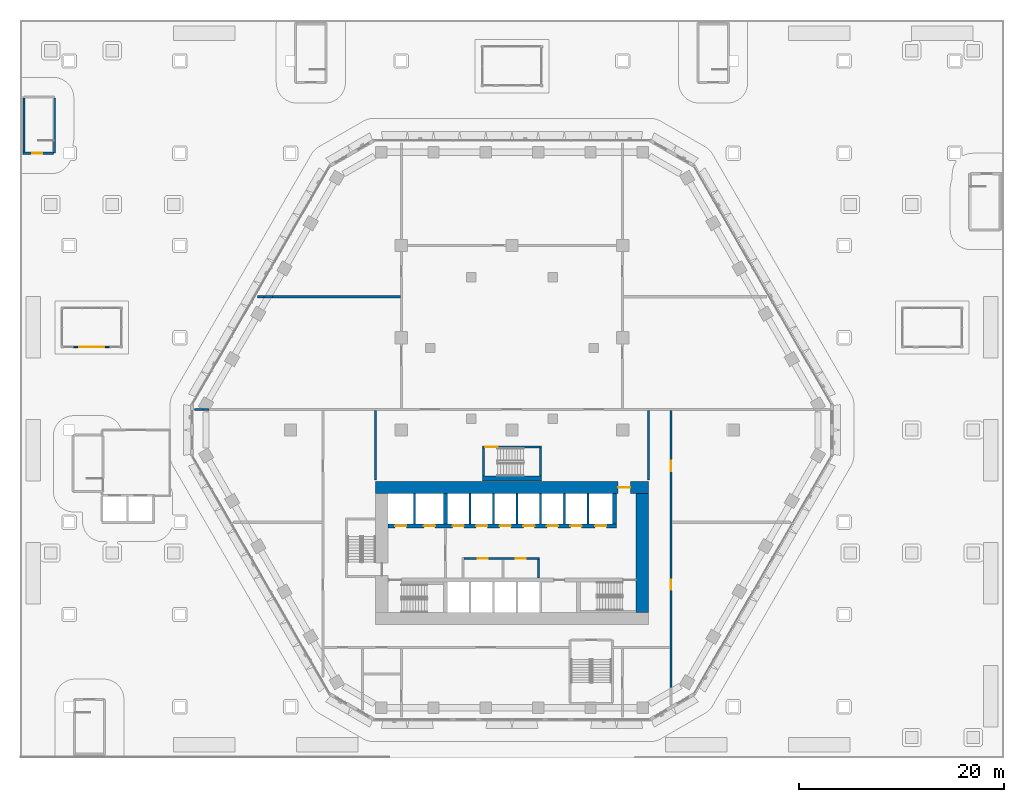
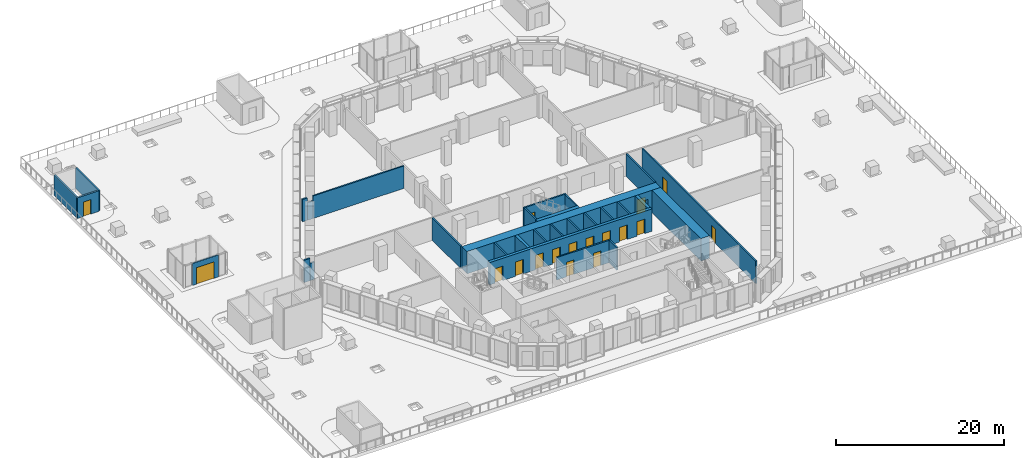
# One storey, part 23 of 38: 30 walls, 17 doors, 17 openings.
"""IFC4 building model written with IfcOpenShell, lengths in metres."""

from ifc_helpers import new_model, si_unit, direction, frame, frame_2d, origin, place, context, subcontext, project, spatial, rectangle, extrude, material, layer, layer_set, type_object, element, fill, save


model = new_model("IFC4")

# Units and contexts
model_context = context("Model", 3, precision=1e-05, world=origin(), true_north=direction((0.0, 1.0)))
body_context = subcontext(model_context, "Body", "Model", "MODEL_VIEW")
ifc_project = project(units=[si_unit("LENGTHUNIT", "METRE"), si_unit("AREAUNIT", "SQUARE_METRE"), si_unit("VOLUMEUNIT", "CUBIC_METRE"), si_unit("PLANEANGLEUNIT", "RADIAN"), si_unit("MASSUNIT", "GRAM", prefix="KILO")], contexts=[model_context])

# Site, building, storey
site_placement = place(None, origin())
site = spatial("IfcSite", under=ifc_project, at=site_placement, CompositionType="ELEMENT")
building_placement = place(site_placement, origin())
building = spatial("IfcBuilding", under=site, at=building_placement, Name="Beryl Residences", CompositionType="ELEMENT")
storey_placement = place(building_placement, frame((0.0, 0.0, 9.0)))
storey = spatial("IfcBuildingStorey", under=building, at=storey_placement, Name="L02", CompositionType="ELEMENT", Elevation=9.0)

# Wall, opening, door
ifc_material_1 = material(Name="Aluminium framed insulated wall", Category="aluminium")
ifc_layer_1 = layer(ifc_material_1, 0.14990234375)
ifc_layer_set_1 = layer_set([ifc_layer_1], Name="GW1 glazed door wall 150 mm")
wall_type_1 = type_object("IfcWallType", Name="GW1 glazed door wall 150 mm", PredefinedType="SOLIDWALL", material=ifc_layer_set_1)
wall_1_placement = place(storey_placement, frame((-42.800048828125, 8.10009765625, 0.0), z_axis=(0.0, 0.0, 1.0), x_axis=(1.0, 0.0, 0.0)))
wall_1 = element("IfcWall", 1, at=wall_1_placement, inside=storey, type_object=wall_type_1, Name="GW1 door wall L02 S", PredefinedType="SOLIDWALL", context=body_context, shape_type="SweptSolid", body=[
    extrude(rectangle(XDim=3.60009765625, YDim=0.14990234375, at=frame_2d((1.800048828125, 0.0))), origin(), (0.0, 0.0, 1.0), 3.199951171875),
])
opening_1_placement = place(wall_1_placement, frame((0.60009765625, 0.0, 0.0)))
opening_1 = element("IfcOpeningElement", 2, at=opening_1_placement, cuts=wall_1, Name="Opening SD1", PredefinedType="OPENING", context=body_context, shape_type="SweptSolid", body=[
    extrude(rectangle(XDim=2.39990234375, YDim=2.39990234375, at=frame_2d((1.199951171875, 1.199951171875))), frame((0.0, 0.0849609375, 0.0), z_axis=(0.0, -1.0, 0.0), x_axis=(1.0, 0.0, 0.0)), (0.0, 0.0, 1.0), 0.169921875),
])
ifc_material_2 = material(Name="Aluminium and clear glass", Category="aluminium")
door_type_1 = type_object("IfcDoorType", Name="SD1 sliding glass door 2400 x 2400 mm", OperationType="SLIDING_TO_LEFT", PredefinedType="DOOR", material=ifc_material_2)
door_1_placement = place(opening_1_placement, origin())
door_1 = element("IfcDoor", 3, at=door_1_placement, inside=storey, type_object=door_type_1, Name="SD1 garden door L02 S", OperationType="SLIDING_TO_LEFT", OverallHeight=2.39990234375, OverallWidth=2.39990234375, PredefinedType="DOOR", context=body_context, shape_type="SweptSolid", body=[
    extrude(rectangle(XDim=2.39990234375, YDim=2.39990234375, at=frame_2d((1.199951171875, 1.199951171875))), frame((0.0, 0.02490234375, 0.0), z_axis=(0.0, -1.0, 0.0), x_axis=(1.0, 0.0, 0.0)), (0.0, 0.0, 1.0), 0.050048828125),
])
fill(opening_1, door_1)

# Wall, openings, doors
ifc_material_3 = material(Name="Concrete masonry", Category="masonry")
ifc_layer_2 = layer(ifc_material_3, 0.199951171875)
ifc_layer_set_2 = layer_set([ifc_layer_2], Name="PT13 lobby wall 200 mm")
wall_type_2 = type_object("IfcWallType", Name="PT13 lobby wall 200 mm", PredefinedType="PARTITIONING", material=ifc_layer_set_2)
wall_2_placement = place(storey_placement, frame((-4.699951171875, -12.550048828125, 0.0), z_axis=(0.0, 0.0, 1.0), x_axis=(1.0, 0.0, 0.0)))
wall_2 = element("IfcWall", 4, at=wall_2_placement, inside=storey, type_object=wall_type_2, Name="Lobby wall 08", PredefinedType="PARTITIONING", context=body_context, shape_type="SweptSolid", body=[
    extrude(rectangle(XDim=7.39990234375, YDim=0.199951171875, at=frame_2d((3.699951171875, 0.0))), origin(), (0.0, 0.0, 1.0), 3.25),
])
opening_2_placement = place(wall_2_placement, frame((2.35009765625, 0.0, 0.0), z_axis=(0.0, 0.0, 1.0), x_axis=(-1.0, 0.0, 0.0)))
opening_2 = element("IfcOpeningElement", 5, at=opening_2_placement, cuts=wall_2, Name="Opening CD-D-A1", PredefinedType="OPENING", context=body_context, shape_type="SweptSolid", body=[
    extrude(rectangle(XDim=1.0, YDim=2.10009765625, at=frame_2d((0.5, 1.050048828125))), frame((0.0, 0.10986328125, 0.0), z_axis=(0.0, -1.0, 0.0), x_axis=(1.0, 0.0, 0.0)), (0.0, 0.0, 1.0), 0.219970703125),
])
opening_3_placement = place(wall_2_placement, frame((6.050048828125, 0.0, 0.0), z_axis=(0.0, 0.0, 1.0), x_axis=(-1.0, 0.0, 0.0)))
opening_3 = element("IfcOpeningElement", 6, at=opening_3_placement, cuts=wall_2, Name="Opening CD-D-A2", PredefinedType="OPENING", context=body_context, shape_type="SweptSolid", body=[
    extrude(rectangle(XDim=1.0, YDim=2.10009765625, at=frame_2d((0.5, 1.050048828125))), frame((0.0, 0.10986328125, 0.0), z_axis=(0.0, -1.0, 0.0), x_axis=(1.0, 0.0, 0.0)), (0.0, 0.0, 1.0), 0.219970703125),
])
ifc_material_4 = material(Name="Steel door leaf in steel frame", Category="steel")
door_type_2 = type_object("IfcDoorType", Name="D18 service room door 1000 x 2100 mm", OperationType="SINGLE_SWING_LEFT", PredefinedType="DOOR", material=ifc_material_4)
door_2_placement = place(opening_2_placement, origin())
door_2 = element("IfcDoor", 7, at=door_2_placement, inside=storey, type_object=door_type_2, Name="Door CD-D-A1 L02 001", OperationType="SINGLE_SWING_RIGHT", OverallHeight=2.10009765625, OverallWidth=1.0, PredefinedType="DOOR", context=body_context, shape_type="SweptSolid", body=[
    extrude(rectangle(XDim=1.0, YDim=2.10009765625, at=frame_2d((0.5, 1.050048828125))), frame((0.0, 0.02490234375, 0.0), z_axis=(0.0, -1.0, 0.0), x_axis=(1.0, 0.0, 0.0)), (0.0, 0.0, 1.0), 0.050048828125),
])
fill(opening_2, door_2)
door_3_placement = place(opening_3_placement, origin())
door_3 = element("IfcDoor", 8, at=door_3_placement, inside=storey, type_object=door_type_2, Name="Door CD-D-A2 L02 001", OperationType="SINGLE_SWING_LEFT", OverallHeight=2.10009765625, OverallWidth=1.0, PredefinedType="DOOR", context=body_context, shape_type="SweptSolid", body=[
    extrude(rectangle(XDim=1.0, YDim=2.10009765625, at=frame_2d((0.5, 1.050048828125))), frame((0.0, 0.02490234375, 0.0), z_axis=(0.0, -1.0, 0.0), x_axis=(1.0, 0.0, 0.0)), (0.0, 0.0, 1.0), 0.050048828125),
])
fill(opening_3, door_3)

# Walls
wall_3_placement = place(storey_placement, frame((2.60009765625, -14.449951171875, 0.0), z_axis=(0.0, 0.0, 1.0), x_axis=(0.0, 1.0, 0.0)))
element("IfcWall", 9, at=wall_3_placement, inside=storey, type_object=wall_type_2, Name="Lobby wall 16", PredefinedType="PARTITIONING", context=body_context, shape_type="SweptSolid", body=[
    extrude(rectangle(XDim=1.800048828125, YDim=0.199951171875, at=frame_2d((0.89990234375, 0.0))), origin(), (0.0, 0.0, 1.0), 3.25),
])
ifc_material_5 = material(Name="Double stud gypsum board wall")
ifc_layer_3 = layer(ifc_material_5, 0.199951171875)
ifc_layer_set_3 = layer_set([ifc_layer_3], Name="PT4 corridor wall 200 mm double stud")
wall_type_3 = type_object("IfcWallType", Name="PT4 corridor wall 200 mm double stud", PredefinedType="PARTITIONING", material=ifc_layer_set_3)
wall_4_placement = place(storey_placement, frame((-30.969970703125, 2.0, 0.0), z_axis=(0.0, 0.0, 1.0), x_axis=(1.0, 0.0, 0.0)))
element("IfcWall", 10, at=wall_4_placement, inside=storey, type_object=wall_type_3, Name="Wall PT4 L02 008", PredefinedType="PARTITIONING", context=body_context, shape_type="SweptSolid", body=[
    extrude(rectangle(XDim=0.821044921875, YDim=0.199951171875, at=frame_2d((0.41064453125, 0.0))), origin(), (0.0, 0.0, 1.0), 3.25),
])
wall_5_placement = place(storey_placement, frame((-30.14892578125, 2.0, 0.0), z_axis=(0.0, 0.0, 1.0), x_axis=(1.0, 0.0, 0.0)))
element("IfcWall", 11, at=wall_5_placement, inside=storey, type_object=wall_type_3, Name="Wall PT4 L02 009", PredefinedType="PARTITIONING", context=body_context, shape_type="SweptSolid", body=[
    extrude(rectangle(XDim=0.599853515625, YDim=0.199951171875, at=frame_2d((0.2998046875, 0.0))), origin(), (0.0, 0.0, 1.0), 2.52001953125),
])
wall_6_placement = place(storey_placement, frame((-24.84912109375, 13.0, 0.0), z_axis=(0.0, 0.0, 1.0), x_axis=(1.0, 0.0, 0.0)))
element("IfcWall", 12, at=wall_6_placement, inside=storey, type_object=wall_type_3, Name="Wall PT4 L02 013", PredefinedType="PARTITIONING", context=body_context, shape_type="SweptSolid", body=[
    extrude(rectangle(XDim=0.658203125, YDim=0.199951171875, at=frame_2d((0.3291015625, 0.0))), origin(), (0.0, 0.0, 1.0), 3.25),
])
wall_7_placement = place(storey_placement, frame((-24.19091796875, 13.0, 0.0), z_axis=(0.0, 0.0, 1.0), x_axis=(1.0, 0.0, 0.0)))
element("IfcWall", 13, at=wall_7_placement, inside=storey, type_object=wall_type_3, Name="Wall PT4 L02 014", PredefinedType="PARTITIONING", context=body_context, shape_type="SweptSolid", body=[
    extrude(rectangle(XDim=0.807861328125, YDim=0.199951171875, at=frame_2d((0.40380859375, 0.0))), origin(), (0.0, 0.0, 1.0), 2.52001953125),
])
wall_8_placement = place(storey_placement, frame((-23.383056640625, 13.0, 0.0), z_axis=(0.0, 0.0, 1.0), x_axis=(1.0, 0.0, 0.0)))
element("IfcWall", 14, at=wall_8_placement, inside=storey, type_object=wall_type_3, Name="Wall PT4 L02 015", PredefinedType="PARTITIONING", context=body_context, shape_type="SweptSolid", body=[
    extrude(rectangle(XDim=12.483154296875, YDim=0.199951171875, at=frame_2d((6.24169921875, 0.0))), origin(), (0.0, 0.0, 1.0), 3.25),
])
for number, where, z_axis, x_axis, name in (
    (15, (-13.300048828125, -4.8798828125, 0.0), (0.0, 0.0, 1.0), (0.0, 1.0, 0.0), "Wall PT4 L02 023"),
    (16, (13.300048828125, -4.8798828125, 0.0), (0.0, 0.0, 1.0), (0.0, 1.0, 0.0), "Wall PT4 L02 030"),
):
    element("IfcWall", number, at=place(storey_placement, frame(where, z_axis=z_axis, x_axis=x_axis)), inside=storey, type_object=wall_type_3, Name=name, PredefinedType="PARTITIONING", context=body_context, shape_type="SweptSolid", body=[
        extrude(rectangle(XDim=6.77978515625, YDim=0.199951171875, at=frame_2d((3.389892578125, 0.0))), origin(), (0.0, 0.0, 1.0), 3.25),
    ])

# Wall, opening, door
ifc_material_6 = material(Name="Concrete C40/50", Category="concrete")
ifc_layer_4 = layer(ifc_material_6, 0.199951171875)
ifc_layer_set_4 = layer_set([ifc_layer_4], Name="PT5 stair enclosure wall 200 mm reinforced concrete C40/50")
wall_type_4 = type_object("IfcWallType", Name="PT5 stair enclosure wall 200 mm reinforced concrete C40/50", PredefinedType="SOLIDWALL", material=ifc_layer_set_4)
wall_9_placement = place(storey_placement, frame((-2.89990234375, -1.64990234375, 0.0), z_axis=(0.0, 0.0, 1.0), x_axis=(1.0, 0.0, 0.0)))
wall_9 = element("IfcWall", 17, at=wall_9_placement, inside=storey, type_object=wall_type_4, Name="Wall PT5 L02 001", PredefinedType="SOLIDWALL", context=body_context, shape_type="SweptSolid", body=[
    extrude(rectangle(XDim=5.7998046875, YDim=0.199951171875, at=frame_2d((2.89990234375, 0.0))), origin(), (0.0, 0.0, 1.0), 3.25),
])
opening_4_placement = place(wall_9_placement, frame((0.300048828125, 0.0, 0.0)))
opening_4 = element("IfcOpeningElement", 18, at=opening_4_placement, cuts=wall_9, Name="Opening DS04", PredefinedType="OPENING", context=body_context, shape_type="SweptSolid", body=[
    extrude(rectangle(XDim=1.199951171875, YDim=2.10009765625, at=frame_2d((0.60009765625, 1.050048828125))), frame((0.0, 0.10986328125, 0.0), z_axis=(0.0, -1.0, 0.0), x_axis=(1.0, 0.0, 0.0)), (0.0, 0.0, 1.0), 0.219970703125),
])
ifc_material_7 = material(Name="Steel door leaf in steel frame", Category="steel")
door_type_3 = type_object("IfcDoorType", Name="D4 stair door 1200 x 2100 mm", OperationType="SINGLE_SWING_LEFT", PredefinedType="DOOR", material=ifc_material_7)
door_4_placement = place(opening_4_placement, origin())
door_4 = element("IfcDoor", 19, at=door_4_placement, inside=storey, type_object=door_type_3, Name="Door DS04 L02 001", OperationType="SINGLE_SWING_LEFT", OverallHeight=2.10009765625, OverallWidth=1.199951171875, PredefinedType="DOOR", context=body_context, shape_type="SweptSolid", body=[
    extrude(rectangle(XDim=1.199951171875, YDim=2.10009765625, at=frame_2d((0.60009765625, 1.050048828125))), frame((0.0, 0.02490234375, 0.0), z_axis=(0.0, -1.0, 0.0), x_axis=(1.0, 0.0, 0.0)), (0.0, 0.0, 1.0), 0.050048828125),
])
fill(opening_4, door_4)

# Walls
for number, where, z_axis, x_axis, name in (
    (20, (-2.800048828125, -4.5, 0.0), (0.0, 0.0, 1.0), (0.0, 1.0, 0.0), "Wall PT5 L02 002"),
    (21, (2.800048828125, -4.5, 0.0), (0.0, 0.0, 1.0), (0.0, 1.0, 0.0), "Wall PT5 L02 003"),
):
    element("IfcWall", number, at=place(storey_placement, frame(where, z_axis=z_axis, x_axis=x_axis)), inside=storey, type_object=wall_type_4, Name=name, PredefinedType="SOLIDWALL", context=body_context, shape_type="SweptSolid", body=[
        extrude(rectangle(XDim=2.75, YDim=0.199951171875, at=frame_2d((1.375, 0.0))), origin(), (0.0, 0.0, 1.0), 3.25),
    ])

# Wall, opening, door
wall_10_placement = place(storey_placement, frame((-47.699951171875, 27.0, 0.0), z_axis=(0.0, 0.0, 1.0), x_axis=(1.0, 0.0, 0.0)))
wall_10 = element("IfcWall", 22, at=wall_10_placement, inside=storey, type_object=wall_type_4, Name="Wall PT5 L02 012", PredefinedType="SOLIDWALL", context=body_context, shape_type="SweptSolid", body=[
    extrude(rectangle(XDim=2.949951171875, YDim=0.199951171875, at=frame_2d((1.47509765625, 0.0))), origin(), (0.0, 0.0, 1.0), 3.0),
])
opening_5_placement = place(wall_10_placement, frame((1.875, 0.0, 0.0), z_axis=(0.0, 0.0, 1.0), x_axis=(-1.0, 0.0, 0.0)))
opening_5 = element("IfcOpeningElement", 23, at=opening_5_placement, cuts=wall_10, Name="Opening L02-23", PredefinedType="OPENING", context=body_context, shape_type="SweptSolid", body=[
    extrude(rectangle(XDim=1.0, YDim=2.10009765625, at=frame_2d((0.5, 1.050048828125))), frame((0.0, 0.10986328125, 0.0), z_axis=(0.0, -1.0, 0.0), x_axis=(1.0, 0.0, 0.0)), (0.0, 0.0, 1.0), 0.219970703125),
])
ifc_material_8 = material(Name="Steel door leaf in steel frame", Category="steel")
door_type_4 = type_object("IfcDoorType", Name="D15 stair door 1000 x 2100 mm", OperationType="SINGLE_SWING_LEFT", PredefinedType="DOOR", material=ifc_material_8)
door_5_placement = place(opening_5_placement, origin())
door_5 = element("IfcDoor", 24, at=door_5_placement, inside=storey, type_object=door_type_4, Name="Door L02-23 L02 001", OperationType="SINGLE_SWING_RIGHT", OverallHeight=2.10009765625, OverallWidth=1.0, PredefinedType="DOOR", context=body_context, shape_type="SweptSolid", body=[
    extrude(rectangle(XDim=1.0, YDim=2.10009765625, at=frame_2d((0.5, 1.050048828125))), frame((0.0, 0.02490234375, 0.0), z_axis=(0.0, -1.0, 0.0), x_axis=(1.0, 0.0, 0.0)), (0.0, 0.0, 1.0), 0.050048828125),
])
fill(opening_5, door_5)

# Walls
wall_11_placement = place(storey_placement, frame((-47.60009765625, 27.10009765625, 0.0), z_axis=(0.0, 0.0, 1.0), x_axis=(0.0, 1.0, 0.0)))
element("IfcWall", 25, at=wall_11_placement, inside=storey, type_object=wall_type_4, Name="Wall PT5 L02 018", PredefinedType="SOLIDWALL", context=body_context, shape_type="SweptSolid", body=[
    extrude(rectangle(XDim=5.2998046875, YDim=0.199951171875, at=frame_2d((2.64990234375, 0.0))), origin(), (0.0, 0.0, 1.0), 3.0),
])
wall_12_placement = place(storey_placement, frame((-44.64990234375, 27.0, 0.0), z_axis=(0.0, 0.0, 1.0), x_axis=(0.0, 1.0, 0.0)))
element("IfcWall", 26, at=wall_12_placement, inside=storey, type_object=wall_type_4, Name="Wall PT5 L02 019", PredefinedType="SOLIDWALL", context=body_context, shape_type="SweptSolid", body=[
    extrude(rectangle(XDim=5.39990234375, YDim=0.199951171875, at=frame_2d((2.699951171875, 0.0))), origin(), (0.0, 0.0, 1.0), 3.0),
])
ifc_material_9 = material(Name="Concrete C40/50", Category="concrete")
ifc_layer_5 = layer(ifc_material_9, 0.5)
ifc_layer_set_5 = layer_set([ifc_layer_5], Name="PT5-500 stair enclosure wall 500 mm")
wall_type_5 = type_object("IfcWallType", Name="PT5-500 stair enclosure wall 500 mm", PredefinedType="SOLIDWALL", material=ifc_layer_set_5)
wall_13_placement = place(storey_placement, frame((-2.89990234375, -4.75, 0.0), z_axis=(0.0, 0.0, 1.0), x_axis=(1.0, 0.0, 0.0)))
element("IfcWall", 27, at=wall_13_placement, inside=storey, type_object=wall_type_5, Name="Wall PT5-500 L02 001", PredefinedType="SOLIDWALL", context=body_context, shape_type="SweptSolid", body=[
    extrude(rectangle(XDim=5.7998046875, YDim=0.5, at=frame_2d((2.89990234375, 0.0))), origin(), (0.0, 0.0, 1.0), 3.25),
])
ifc_material_10 = material(Name="Concrete C40/50", Category="concrete")
ifc_layer_6 = layer(ifc_material_10, 0.199951171875)
ifc_layer_set_6 = layer_set([ifc_layer_6], Name="PT6 lift shaft wall 200 mm reinforced concrete C40/50")
wall_type_6 = type_object("IfcWallType", Name="PT6 lift shaft wall 200 mm reinforced concrete C40/50", PredefinedType="SOLIDWALL", material=ifc_layer_set_6)
for number, where, z_axis, x_axis, name in (
    (28, (-9.5, -9.14990234375, 0.0), (0.0, 0.0, 1.0), (0.0, 1.0, 0.0), "Lift shaft wall 05"),
    (29, (-4.10009765625, -9.14990234375, 0.0), (0.0, 0.0, 1.0), (0.0, 1.0, 0.0), "Lift shaft wall 10"),
    (30, (-1.800048828125, -9.14990234375, 0.0), (0.0, 0.0, 1.0), (0.0, 1.0, 0.0), "Lift shaft wall 12"),
    (31, (0.5, -9.14990234375, 0.0), (0.0, 0.0, 1.0), (0.0, 1.0, 0.0), "Lift shaft wall 15"),
    (32, (2.800048828125, -9.14990234375, 0.0), (0.0, 0.0, 1.0), (0.0, 1.0, 0.0), "Lift shaft wall 18"),
    (33, (5.10009765625, -9.14990234375, 0.0), (0.0, 0.0, 1.0), (0.0, 1.0, 0.0), "Lift shaft wall 19"),
    (34, (7.39990234375, -9.14990234375, 0.0), (0.0, 0.0, 1.0), (0.0, 1.0, 0.0), "Lift shaft wall 21"),
):
    element("IfcWall", number, at=place(storey_placement, frame(where, z_axis=z_axis, x_axis=x_axis)), inside=storey, type_object=wall_type_6, Name=name, PredefinedType="SOLIDWALL", context=body_context, shape_type="SweptSolid", body=[
        extrude(rectangle(XDim=2.949951171875, YDim=0.199951171875, at=frame_2d((1.47509765625, 0.0))), origin(), (0.0, 0.0, 1.0), 3.25),
    ])

# Wall, openings, doors
ifc_material_11 = material(Name="Concrete masonry", Category="masonry")
ifc_layer_7 = layer(ifc_material_11, 0.199951171875)
ifc_layer_set_7 = layer_set([ifc_layer_7], Name="PT8-200 service room wall 200 mm")
wall_type_7 = type_object("IfcWallType", Name="PT8-200 service room wall 200 mm", PredefinedType="PARTITIONING", material=ifc_layer_set_7)
wall_14_placement = place(storey_placement, frame((15.5, -25.114013671875, 0.0), z_axis=(0.0, 0.0, 1.0), x_axis=(0.0, 1.0, 0.0)))
wall_14 = element("IfcWall", 35, at=wall_14_placement, inside=storey, type_object=wall_type_7, Name="Wall PT8-200 L02 014", PredefinedType="PARTITIONING", context=body_context, shape_type="SweptSolid", body=[
    extrude(rectangle(XDim=27.013916015625, YDim=0.199951171875, at=frame_2d((13.5068359375, 0.0))), origin(), (0.0, 0.0, 1.0), 3.25),
])
opening_6_placement = place(wall_14_placement, frame((10.51611328125, 0.0, 0.0), z_axis=(0.0, 0.0, 1.0), x_axis=(-1.0, 0.0, 0.0)))
opening_6 = element("IfcOpeningElement", 36, at=opening_6_placement, cuts=wall_14, Name="Opening L02-07", PredefinedType="OPENING", context=body_context, shape_type="SweptSolid", body=[
    extrude(rectangle(XDim=1.0, YDim=2.10009765625, at=frame_2d((0.5, 1.050048828125))), frame((0.0, 0.10986328125, 0.0), z_axis=(0.0, -1.0, 0.0), x_axis=(1.0, 0.0, 0.0)), (0.0, 0.0, 1.0), 0.219970703125),
])
opening_7_placement = place(wall_14_placement, frame((22.112060546875, 0.0, 0.0), z_axis=(0.0, 0.0, 1.0), x_axis=(-1.0, 0.0, 0.0)))
opening_7 = element("IfcOpeningElement", 37, at=opening_7_placement, cuts=wall_14, Name="Opening L02-08", PredefinedType="OPENING", context=body_context, shape_type="SweptSolid", body=[
    extrude(rectangle(XDim=1.0, YDim=2.10009765625, at=frame_2d((0.5, 1.050048828125))), frame((0.0, 0.10986328125, 0.0), z_axis=(0.0, -1.0, 0.0), x_axis=(1.0, 0.0, 0.0)), (0.0, 0.0, 1.0), 0.219970703125),
])
ifc_material_12 = material(Name="Timber door leaf", Category="wood")
door_type_5 = type_object("IfcDoorType", Name="D9 corridor door 1000 x 2100 mm", OperationType="SINGLE_SWING_LEFT", PredefinedType="DOOR", material=ifc_material_12)
door_6_placement = place(opening_6_placement, origin())
door_6 = element("IfcDoor", 38, at=door_6_placement, inside=storey, type_object=door_type_5, Name="Door L02-07 L02 001", OperationType="SINGLE_SWING_RIGHT", OverallHeight=2.10009765625, OverallWidth=1.0, PredefinedType="DOOR", context=body_context, shape_type="SweptSolid", body=[
    extrude(rectangle(XDim=1.0, YDim=2.10009765625, at=frame_2d((0.5, 1.050048828125))), frame((0.0, 0.02490234375, 0.0), z_axis=(0.0, -1.0, 0.0), x_axis=(1.0, 0.0, 0.0)), (0.0, 0.0, 1.0), 0.050048828125),
])
fill(opening_6, door_6)
door_7_placement = place(opening_7_placement, origin())
door_7 = element("IfcDoor", 39, at=door_7_placement, inside=storey, type_object=door_type_5, Name="Door L02-08 L02 001", OperationType="SINGLE_SWING_LEFT", OverallHeight=2.10009765625, OverallWidth=1.0, PredefinedType="DOOR", context=body_context, shape_type="SweptSolid", body=[
    extrude(rectangle(XDim=1.0, YDim=2.10009765625, at=frame_2d((0.5, 1.050048828125))), frame((0.0, 0.02490234375, 0.0), z_axis=(0.0, -1.0, 0.0), x_axis=(1.0, 0.0, 0.0)), (0.0, 0.0, 1.0), 0.050048828125),
])
fill(opening_7, door_7)

# Wall, opening, door
ifc_material_13 = material(Name="Concrete C80/95", Category="concrete")
ifc_layer_8 = layer(ifc_material_13, 1.199951171875)
ifc_layer_set_8 = layer_set([ifc_layer_8], Name="SW1 core outer wall 1200 mm C80/95")
wall_type_8 = type_object("IfcWallType", Name="SW1 core outer wall 1200 mm C80/95", PredefinedType="SHEAR", material=ifc_layer_set_8)
wall_15_placement = place(storey_placement, frame((-13.300048828125, -5.60009765625, 0.0), z_axis=(0.0, 0.0, 1.0), x_axis=(1.0, 0.0, 0.0)))
wall_15 = element("IfcWall", 40, at=wall_15_placement, inside=storey, type_object=wall_type_8, Name="Core wall N L02", PredefinedType="SHEAR", context=body_context, shape_type="SweptSolid", body=[
    extrude(rectangle(XDim=26.60009765625, YDim=1.199951171875, at=frame_2d((13.300048828125, 0.0))), origin(), (0.0, 0.0, 1.0), 3.25),
])
opening_8_placement = place(wall_15_placement, frame((23.64990234375, 0.0, 0.0)))
opening_8 = element("IfcOpeningElement", 41, at=opening_8_placement, cuts=wall_15, Name="Opening FD-NORTH", PredefinedType="OPENING", context=body_context, shape_type="SweptSolid", body=[
    extrude(rectangle(XDim=1.199951171875, YDim=2.10009765625, at=frame_2d((0.60009765625, 1.050048828125))), frame((0.0, 0.60986328125, 0.0), z_axis=(0.0, -1.0, 0.0), x_axis=(1.0, 0.0, 0.0)), (0.0, 0.0, 1.0), 1.219970703125),
])
ifc_material_14 = material(Name="Steel door leaf in steel frame", Category="steel")
door_type_6 = type_object("IfcDoorType", Name="D22 lobby door 1200 x 2100 mm", OperationType="DOUBLE_DOOR_SINGLE_SWING", PredefinedType="DOOR", material=ifc_material_14)
door_8_placement = place(opening_8_placement, origin())
door_8 = element("IfcDoor", 42, at=door_8_placement, inside=storey, type_object=door_type_6, Name="Door FD-NORTH L02 001", OperationType="DOUBLE_DOOR_SINGLE_SWING", OverallHeight=2.10009765625, OverallWidth=1.199951171875, PredefinedType="DOOR", context=body_context, shape_type="SweptSolid", body=[
    extrude(rectangle(XDim=1.199951171875, YDim=2.10009765625, at=frame_2d((0.60009765625, 1.050048828125))), frame((0.0, 0.02490234375, 0.0), z_axis=(0.0, -1.0, 0.0), x_axis=(1.0, 0.0, 0.0)), (0.0, 0.0, 1.0), 0.050048828125),
])
fill(opening_8, door_8)

# Wall
wall_16_placement = place(storey_placement, frame((12.699951171875, -17.800048828125, 0.0), z_axis=(0.0, 0.0, 1.0), x_axis=(0.0, 1.0, 0.0)))
element("IfcWall", 43, at=wall_16_placement, inside=storey, type_object=wall_type_8, Name="Core wall E L02", PredefinedType="SHEAR", context=body_context, shape_type="SweptSolid", body=[
    extrude(rectangle(XDim=11.60009765625, YDim=1.199951171875, at=frame_2d((5.800048828125, 0.0))), origin(), (0.0, 0.0, 1.0), 3.25),
])

# Wall, openings, doors
ifc_material_15 = material(Name="Concrete C80/95", Category="concrete")
ifc_layer_9 = layer(ifc_material_15, 0.39990234375)
ifc_layer_set_9 = layer_set([ifc_layer_9], Name="SW6 core internal wall 400 mm C80/95")
wall_type_9 = type_object("IfcWallType", Name="SW6 core internal wall 400 mm C80/95", PredefinedType="SHEAR", material=ifc_layer_set_9)
wall_17_placement = place(storey_placement, frame((-12.10009765625, -9.35009765625, 0.0), z_axis=(0.0, 0.0, 1.0), x_axis=(1.0, 0.0, 0.0)))
wall_17 = element("IfcWall", 44, at=wall_17_placement, inside=storey, type_object=wall_type_9, Name="Core wall SP2 L02", PredefinedType="SHEAR", context=body_context, shape_type="SweptSolid", body=[
    extrude(rectangle(XDim=22.300048828125, YDim=0.39990234375, at=frame_2d((11.14990234375, 0.0))), origin(), (0.0, 0.0, 1.0), 3.25),
])
opening_9_placement = place(wall_17_placement, frame((0.699951171875, 0.0, 0.0)))
opening_9 = element("IfcOpeningElement", 45, at=opening_9_placement, cuts=wall_17, Name="Opening LD-FF1", PredefinedType="OPENING", context=body_context, shape_type="SweptSolid", body=[
    extrude(rectangle(XDim=1.10009765625, YDim=2.10009765625, at=frame_2d((0.550048828125, 1.050048828125))), frame((0.0, 0.2099609375, 0.0), z_axis=(0.0, -1.0, 0.0), x_axis=(1.0, 0.0, 0.0)), (0.0, 0.0, 1.0), 0.419921875),
])
opening_10_placement = place(wall_17_placement, frame((3.5, 0.0, 0.0)))
opening_10 = element("IfcOpeningElement", 46, at=opening_10_placement, cuts=wall_17, Name="Opening LD-FF2", PredefinedType="OPENING", context=body_context, shape_type="SweptSolid", body=[
    extrude(rectangle(XDim=1.10009765625, YDim=2.10009765625, at=frame_2d((0.550048828125, 1.050048828125))), frame((0.0, 0.2099609375, 0.0), z_axis=(0.0, -1.0, 0.0), x_axis=(1.0, 0.0, 0.0)), (0.0, 0.0, 1.0), 0.419921875),
])
opening_11_placement = place(wall_17_placement, frame((6.300048828125, 0.0, 0.0)))
opening_11 = element("IfcOpeningElement", 47, at=opening_11_placement, cuts=wall_17, Name="Opening LD-LR1", PredefinedType="OPENING", context=body_context, shape_type="SweptSolid", body=[
    extrude(rectangle(XDim=1.10009765625, YDim=2.10009765625, at=frame_2d((0.550048828125, 1.050048828125))), frame((0.0, 0.2099609375, 0.0), z_axis=(0.0, -1.0, 0.0), x_axis=(1.0, 0.0, 0.0)), (0.0, 0.0, 1.0), 0.419921875),
])
opening_12_placement = place(wall_17_placement, frame((8.60009765625, 0.0, 0.0)))
opening_12 = element("IfcOpeningElement", 48, at=opening_12_placement, cuts=wall_17, Name="Opening LD-LR2", PredefinedType="OPENING", context=body_context, shape_type="SweptSolid", body=[
    extrude(rectangle(XDim=1.10009765625, YDim=2.10009765625, at=frame_2d((0.550048828125, 1.050048828125))), frame((0.0, 0.2099609375, 0.0), z_axis=(0.0, -1.0, 0.0), x_axis=(1.0, 0.0, 0.0)), (0.0, 0.0, 1.0), 0.419921875),
])
opening_13_placement = place(wall_17_placement, frame((10.89990234375, 0.0, 0.0)))
opening_13 = element("IfcOpeningElement", 49, at=opening_13_placement, cuts=wall_17, Name="Opening LD-LR3", PredefinedType="OPENING", context=body_context, shape_type="SweptSolid", body=[
    extrude(rectangle(XDim=1.10009765625, YDim=2.10009765625, at=frame_2d((0.550048828125, 1.050048828125))), frame((0.0, 0.2099609375, 0.0), z_axis=(0.0, -1.0, 0.0), x_axis=(1.0, 0.0, 0.0)), (0.0, 0.0, 1.0), 0.419921875),
])
opening_14_placement = place(wall_17_placement, frame((13.199951171875, 0.0, 0.0)))
opening_14 = element("IfcOpeningElement", 50, at=opening_14_placement, cuts=wall_17, Name="Opening LD-LR4", PredefinedType="OPENING", context=body_context, shape_type="SweptSolid", body=[
    extrude(rectangle(XDim=1.10009765625, YDim=2.10009765625, at=frame_2d((0.550048828125, 1.050048828125))), frame((0.0, 0.2099609375, 0.0), z_axis=(0.0, -1.0, 0.0), x_axis=(1.0, 0.0, 0.0)), (0.0, 0.0, 1.0), 0.419921875),
])
opening_15_placement = place(wall_17_placement, frame((15.5, 0.0, 0.0)))
opening_15 = element("IfcOpeningElement", 51, at=opening_15_placement, cuts=wall_17, Name="Opening LD-LR5", PredefinedType="OPENING", context=body_context, shape_type="SweptSolid", body=[
    extrude(rectangle(XDim=1.10009765625, YDim=2.10009765625, at=frame_2d((0.550048828125, 1.050048828125))), frame((0.0, 0.2099609375, 0.0), z_axis=(0.0, -1.0, 0.0), x_axis=(1.0, 0.0, 0.0)), (0.0, 0.0, 1.0), 0.419921875),
])
opening_16_placement = place(wall_17_placement, frame((17.800048828125, 0.0, 0.0)))
opening_16 = element("IfcOpeningElement", 52, at=opening_16_placement, cuts=wall_17, Name="Opening LD-LR6", PredefinedType="OPENING", context=body_context, shape_type="SweptSolid", body=[
    extrude(rectangle(XDim=1.10009765625, YDim=2.10009765625, at=frame_2d((0.550048828125, 1.050048828125))), frame((0.0, 0.2099609375, 0.0), z_axis=(0.0, -1.0, 0.0), x_axis=(1.0, 0.0, 0.0)), (0.0, 0.0, 1.0), 0.419921875),
])
opening_17_placement = place(wall_17_placement, frame((20.199951171875, 0.0, 0.0)))
opening_17 = element("IfcOpeningElement", 53, at=opening_17_placement, cuts=wall_17, Name="Opening LD-SL1", PredefinedType="OPENING", context=body_context, shape_type="SweptSolid", body=[
    extrude(rectangle(XDim=1.10009765625, YDim=2.10009765625, at=frame_2d((0.550048828125, 1.050048828125))), frame((0.0, 0.2099609375, 0.0), z_axis=(0.0, -1.0, 0.0), x_axis=(1.0, 0.0, 0.0)), (0.0, 0.0, 1.0), 0.419921875),
])
ifc_material_16 = material(Name="Stainless steel sliding door", Category="steel")
door_type_7 = type_object("IfcDoorType", Name="LD1 lift landing door 1100 x 2100 mm", OperationType="DOUBLE_DOOR_SLIDING", PredefinedType="DOOR", material=ifc_material_16)
door_9_placement = place(opening_9_placement, origin())
door_9 = element("IfcDoor", 54, at=door_9_placement, inside=storey, type_object=door_type_7, Name="Lift landing door FF1", OperationType="DOUBLE_DOOR_SLIDING", OverallHeight=2.10009765625, OverallWidth=1.10009765625, PredefinedType="DOOR", context=body_context, shape_type="SweptSolid", body=[
    extrude(rectangle(XDim=1.10009765625, YDim=2.10009765625, at=frame_2d((0.550048828125, 1.050048828125))), frame((0.0, 0.02490234375, 0.0), z_axis=(0.0, -1.0, 0.0), x_axis=(1.0, 0.0, 0.0)), (0.0, 0.0, 1.0), 0.050048828125),
])
fill(opening_9, door_9)
door_10_placement = place(opening_10_placement, origin())
door_10 = element("IfcDoor", 55, at=door_10_placement, inside=storey, type_object=door_type_7, Name="Lift landing door FF2", OperationType="DOUBLE_DOOR_SLIDING", OverallHeight=2.10009765625, OverallWidth=1.10009765625, PredefinedType="DOOR", context=body_context, shape_type="SweptSolid", body=[
    extrude(rectangle(XDim=1.10009765625, YDim=2.10009765625, at=frame_2d((0.550048828125, 1.050048828125))), frame((0.0, 0.02490234375, 0.0), z_axis=(0.0, -1.0, 0.0), x_axis=(1.0, 0.0, 0.0)), (0.0, 0.0, 1.0), 0.050048828125),
])
fill(opening_10, door_10)
door_11_placement = place(opening_11_placement, origin())
door_11 = element("IfcDoor", 56, at=door_11_placement, inside=storey, type_object=door_type_7, Name="Lift landing door LR1", OperationType="DOUBLE_DOOR_SLIDING", OverallHeight=2.10009765625, OverallWidth=1.10009765625, PredefinedType="DOOR", context=body_context, shape_type="SweptSolid", body=[
    extrude(rectangle(XDim=1.10009765625, YDim=2.10009765625, at=frame_2d((0.550048828125, 1.050048828125))), frame((0.0, 0.02490234375, 0.0), z_axis=(0.0, -1.0, 0.0), x_axis=(1.0, 0.0, 0.0)), (0.0, 0.0, 1.0), 0.050048828125),
])
fill(opening_11, door_11)
door_12_placement = place(opening_12_placement, origin())
door_12 = element("IfcDoor", 57, at=door_12_placement, inside=storey, type_object=door_type_7, Name="Lift landing door LR2", OperationType="DOUBLE_DOOR_SLIDING", OverallHeight=2.10009765625, OverallWidth=1.10009765625, PredefinedType="DOOR", context=body_context, shape_type="SweptSolid", body=[
    extrude(rectangle(XDim=1.10009765625, YDim=2.10009765625, at=frame_2d((0.550048828125, 1.050048828125))), frame((0.0, 0.02490234375, 0.0), z_axis=(0.0, -1.0, 0.0), x_axis=(1.0, 0.0, 0.0)), (0.0, 0.0, 1.0), 0.050048828125),
])
fill(opening_12, door_12)
door_13_placement = place(opening_13_placement, origin())
door_13 = element("IfcDoor", 58, at=door_13_placement, inside=storey, type_object=door_type_7, Name="Lift landing door LR3", OperationType="DOUBLE_DOOR_SLIDING", OverallHeight=2.10009765625, OverallWidth=1.10009765625, PredefinedType="DOOR", context=body_context, shape_type="SweptSolid", body=[
    extrude(rectangle(XDim=1.10009765625, YDim=2.10009765625, at=frame_2d((0.550048828125, 1.050048828125))), frame((0.0, 0.02490234375, 0.0), z_axis=(0.0, -1.0, 0.0), x_axis=(1.0, 0.0, 0.0)), (0.0, 0.0, 1.0), 0.050048828125),
])
fill(opening_13, door_13)
door_14_placement = place(opening_14_placement, origin())
door_14 = element("IfcDoor", 59, at=door_14_placement, inside=storey, type_object=door_type_7, Name="Lift landing door LR4", OperationType="DOUBLE_DOOR_SLIDING", OverallHeight=2.10009765625, OverallWidth=1.10009765625, PredefinedType="DOOR", context=body_context, shape_type="SweptSolid", body=[
    extrude(rectangle(XDim=1.10009765625, YDim=2.10009765625, at=frame_2d((0.550048828125, 1.050048828125))), frame((0.0, 0.02490234375, 0.0), z_axis=(0.0, -1.0, 0.0), x_axis=(1.0, 0.0, 0.0)), (0.0, 0.0, 1.0), 0.050048828125),
])
fill(opening_14, door_14)
door_15_placement = place(opening_15_placement, origin())
door_15 = element("IfcDoor", 60, at=door_15_placement, inside=storey, type_object=door_type_7, Name="Lift landing door LR5", OperationType="DOUBLE_DOOR_SLIDING", OverallHeight=2.10009765625, OverallWidth=1.10009765625, PredefinedType="DOOR", context=body_context, shape_type="SweptSolid", body=[
    extrude(rectangle(XDim=1.10009765625, YDim=2.10009765625, at=frame_2d((0.550048828125, 1.050048828125))), frame((0.0, 0.02490234375, 0.0), z_axis=(0.0, -1.0, 0.0), x_axis=(1.0, 0.0, 0.0)), (0.0, 0.0, 1.0), 0.050048828125),
])
fill(opening_15, door_15)
door_16_placement = place(opening_16_placement, origin())
door_16 = element("IfcDoor", 61, at=door_16_placement, inside=storey, type_object=door_type_7, Name="Lift landing door LR6", OperationType="DOUBLE_DOOR_SLIDING", OverallHeight=2.10009765625, OverallWidth=1.10009765625, PredefinedType="DOOR", context=body_context, shape_type="SweptSolid", body=[
    extrude(rectangle(XDim=1.10009765625, YDim=2.10009765625, at=frame_2d((0.550048828125, 1.050048828125))), frame((0.0, 0.02490234375, 0.0), z_axis=(0.0, -1.0, 0.0), x_axis=(1.0, 0.0, 0.0)), (0.0, 0.0, 1.0), 0.050048828125),
])
fill(opening_16, door_16)
door_17_placement = place(opening_17_placement, origin())
door_17 = element("IfcDoor", 62, at=door_17_placement, inside=storey, type_object=door_type_7, Name="Lift landing door SL1", OperationType="DOUBLE_DOOR_SLIDING", OverallHeight=2.10009765625, OverallWidth=1.10009765625, PredefinedType="DOOR", context=body_context, shape_type="SweptSolid", body=[
    extrude(rectangle(XDim=1.10009765625, YDim=2.10009765625, at=frame_2d((0.550048828125, 1.050048828125))), frame((0.0, 0.02490234375, 0.0), z_axis=(0.0, -1.0, 0.0), x_axis=(1.0, 0.0, 0.0)), (0.0, 0.0, 1.0), 0.050048828125),
])
fill(opening_17, door_17)

# Walls
for number, where, z_axis, x_axis, name in (
    (63, (-6.5, -9.14990234375, 0.0), (0.0, 0.0, 1.0), (0.0, 1.0, 0.0), "Core wall XN1 L02"),
    (64, (10.0, -9.14990234375, 0.0), (0.0, 0.0, 1.0), (0.0, 1.0, 0.0), "Core wall XN2 L02"),
):
    element("IfcWall", number, at=place(storey_placement, frame(where, z_axis=z_axis, x_axis=x_axis)), inside=storey, type_object=wall_type_9, Name=name, PredefinedType="SHEAR", context=body_context, shape_type="SweptSolid", body=[
        extrude(rectangle(XDim=2.949951171875, YDim=0.39990234375, at=frame_2d((1.47509765625, 0.0))), origin(), (0.0, 0.0, 1.0), 3.25),
    ])

save(model, "model.ifc")
